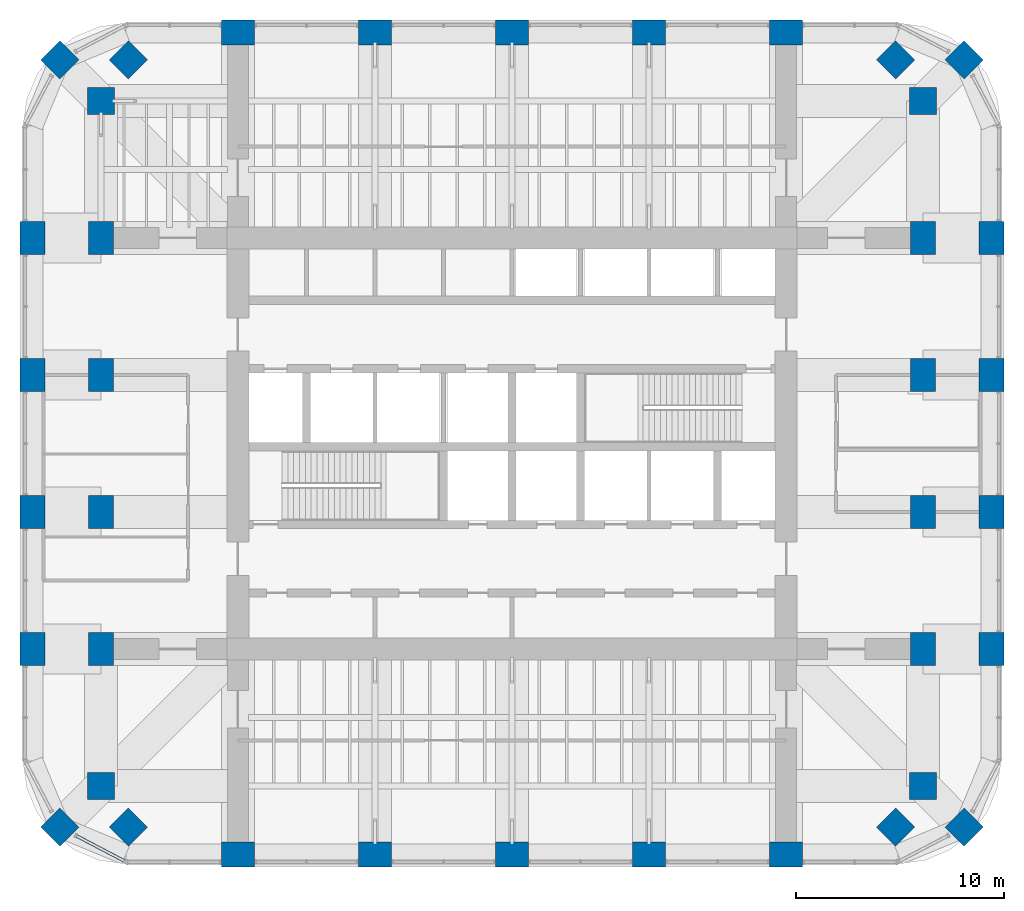
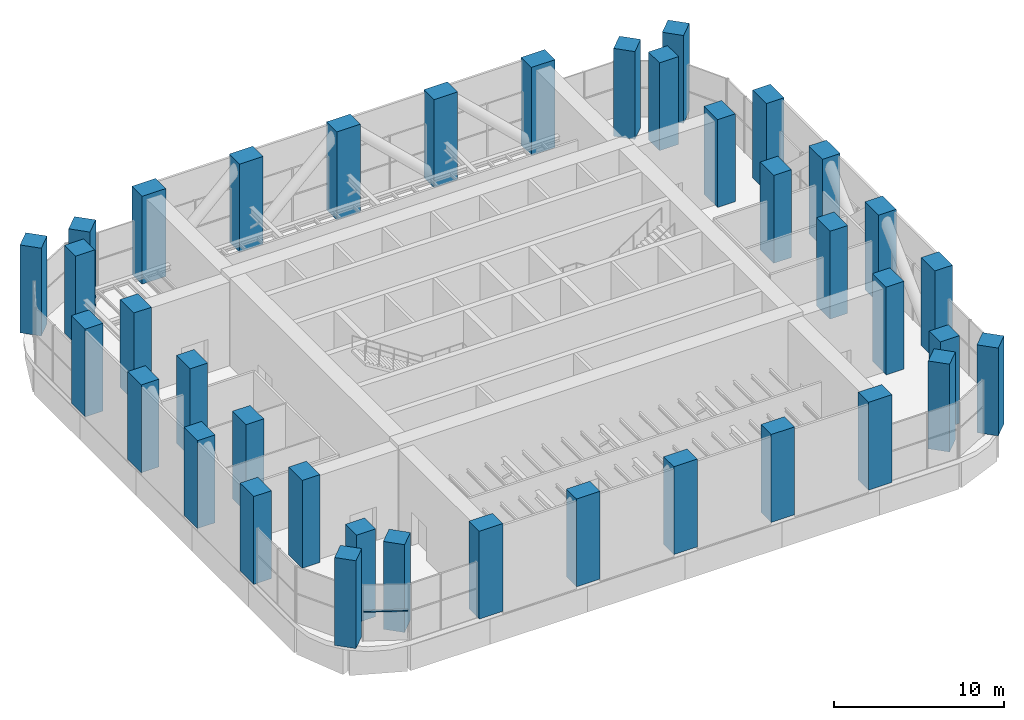
# One storey, part 1 of 15: 38 columns, 1 member, 1 element without a shape of its own.
"""IFC4 building model written with IfcOpenShell, lengths in metres."""

from ifc_helpers import new_model, si_unit, direction, frame, origin, origin_2d, place, context, subcontext, project, spatial, rectangle, extrude, material, material_profile, profile_set, type_object, element, aggregate, save


model = new_model("IFC4")

# Units and contexts
model_context = context("Model", 3, precision=1e-05, world=origin(), true_north=direction((0.0, 1.0)))
body_context = subcontext(model_context, "Body", "Model", "MODEL_VIEW")
ifc_project = project(units=[si_unit("LENGTHUNIT", "METRE"), si_unit("AREAUNIT", "SQUARE_METRE"), si_unit("VOLUMEUNIT", "CUBIC_METRE"), si_unit("PLANEANGLEUNIT", "RADIAN"), si_unit("MASSUNIT", "GRAM", prefix="KILO")], contexts=[model_context])

# Site, building, storey
site_placement = place(None, origin())
site = spatial("IfcSite", under=ifc_project, at=site_placement, CompositionType="ELEMENT")
building_placement = place(site_placement, origin())
building = spatial("IfcBuilding", under=site, at=building_placement, Name="Cobogo Forest Laboratory Tower", CompositionType="ELEMENT")
storey_placement = place(building_placement, frame((0.0, 0.0, 222.89990234375)))
storey = spatial("IfcBuildingStorey", under=building, at=storey_placement, Name="L51", CompositionType="ELEMENT", Elevation=222.89990234375)

# Columns
ifc_material_1 = material(Name="Concrete HA-50 (C50/60)", Category="concrete")
ifc_material_profile_1 = material_profile(ifc_material_1, rectangle(XDim=1.60009765625, YDim=1.199951171875, at=origin_2d()), Name="RC 1200x1600")
ifc_profile_set_1 = profile_set([ifc_material_profile_1], Name="Concrete HA-50 (C50/60)")
column_type_1 = type_object("IfcColumnType", Name="Blade column 1200x1600", PredefinedType="COLUMN", material=ifc_profile_set_1)
for number, where, z_axis, x_axis, name in (
    (1, (13.199951171875, 3.300048828125, 0.0), (0.0, 0.0, 1.0), (1.0, 0.0, 0.0), "Column 3-A.1 L51"),
    (2, (19.800048828125, 3.300048828125, 0.0), (0.0, 0.0, 1.0), (1.0, 0.0, 0.0), "Column 4-A.1 L51"),
    (3, (26.39990234375, 3.300048828125, 0.0), (0.0, 0.0, 1.0), (1.0, 0.0, 0.0), "Column 5-A.1 L51"),
    (4, (33.0, 3.300048828125, 0.0), (0.0, 0.0, 1.0), (1.0, 0.0, 0.0), "Column 6-A.1 L51"),
    (5, (39.60009765625, 3.300048828125, 0.0), (0.0, 0.0, 1.0), (1.0, 0.0, 0.0), "Column 7-A.1 L51"),
    (6, (3.300048828125, 13.199951171875, 0.0), (0.0, 0.0, 1.0), (0.0, 1.0, 0.0), "Column 1.1-C L51"),
    (7, (49.5, 13.199951171875, 0.0), (0.0, 0.0, 1.0), (0.0, 1.0, 0.0), "Column 8.1-C L51"),
    (8, (3.300048828125, 19.800048828125, 0.0), (0.0, 0.0, 1.0), (0.0, 1.0, 0.0), "Column 1.1-D L51"),
    (9, (49.5, 19.800048828125, 0.0), (0.0, 0.0, 1.0), (0.0, 1.0, 0.0), "Column 8.1-D L51"),
    (10, (3.300048828125, 26.39990234375, 0.0), (0.0, 0.0, 1.0), (0.0, 1.0, 0.0), "Column 1.1-E L51"),
    (11, (49.5, 26.39990234375, 0.0), (0.0, 0.0, 1.0), (0.0, 1.0, 0.0), "Column 8.1-E L51"),
    (12, (3.300048828125, 33.0, 0.0), (0.0, 0.0, 1.0), (0.0, 1.0, 0.0), "Column 1.1-F L51"),
    (13, (49.5, 33.0, 0.0), (0.0, 0.0, 1.0), (0.0, 1.0, 0.0), "Column 8.1-F L51"),
    (14, (13.199951171875, 42.89990234375, 0.0), (0.0, 0.0, 1.0), (1.0, 0.0, 0.0), "Column 3-G.1 L51"),
    (15, (19.800048828125, 42.89990234375, 0.0), (0.0, 0.0, 1.0), (1.0, 0.0, 0.0), "Column 4-G.1 L51"),
    (16, (26.39990234375, 42.89990234375, 0.0), (0.0, 0.0, 1.0), (1.0, 0.0, 0.0), "Column 5-G.1 L51"),
    (17, (33.0, 42.89990234375, 0.0), (0.0, 0.0, 1.0), (1.0, 0.0, 0.0), "Column 6-G.1 L51"),
    (18, (39.60009765625, 42.89990234375, 0.0), (0.0, 0.0, 1.0), (1.0, 0.0, 0.0), "Column 7-G.1 L51"),
    (19, (6.60009765625, 13.199951171875, 0.0), (0.0, 0.0, 1.0), (0.0, 1.0, 0.0), "Column 2-C-D L51"),
    (20, (46.199951171875, 13.199951171875, 0.0), (0.0, 0.0, 1.0), (0.0, 1.0, 0.0), "Column 8-C-D L51"),
    (21, (6.60009765625, 19.800048828125, 0.0), (0.0, 0.0, 1.0), (0.0, 1.0, 0.0), "Column 2-D-D L51"),
    (22, (46.199951171875, 19.800048828125, 0.0), (0.0, 0.0, 1.0), (0.0, 1.0, 0.0), "Column 8-D-D L51"),
    (23, (6.60009765625, 26.39990234375, 0.0), (0.0, 0.0, 1.0), (0.0, 1.0, 0.0), "Column 2-E-D L51"),
    (24, (46.199951171875, 26.39990234375, 0.0), (0.0, 0.0, 1.0), (0.0, 1.0, 0.0), "Column 8-E-D L51"),
    (25, (6.60009765625, 33.0, 0.0), (0.0, 0.0, 1.0), (0.0, 1.0, 0.0), "Column 2-F-D L51"),
    (26, (46.199951171875, 33.0, 0.0), (0.0, 0.0, 1.0), (0.0, 1.0, 0.0), "Column 8-F-D L51"),
):
    element("IfcColumn", number, at=place(storey_placement, frame(where, z_axis=z_axis, x_axis=x_axis)), inside=storey, type_object=column_type_1, Name=name, PredefinedType="COLUMN", context=body_context, shape_type="SweptSolid", body=[
        extrude(rectangle(XDim=1.60009765625, YDim=1.199951171875, at=origin_2d()), origin(), (0.0, 0.0, 1.0), 6.300048828125),
    ])
ifc_material_profile_2 = material_profile(ifc_material_1, rectangle(XDim=1.300048828125, YDim=1.300048828125, at=origin_2d()), Name="RC 1300x1300")
ifc_profile_set_2 = profile_set([ifc_material_profile_2], Name="Concrete HA-50 (C50/60)")
column_type_2 = type_object("IfcColumnType", Name="Column 1300x1300", PredefinedType="COLUMN", material=ifc_profile_set_2)
for number, where, z_axis, x_axis, name in (
    (27, (4.617919921875, 4.617919921875, 0.0), (0.0, 0.0, 1.0), (0.707106781187, 0.707106781187, 0.0), "Column CNR-SW L51"),
    (28, (48.181884765625, 4.617919921875, 0.0), (0.0, 0.0, 1.0), (0.707106781187, 0.707106781187, 0.0), "Column CNR-SE L51"),
    (29, (4.617919921875, 41.58203125, 0.0), (0.0, 0.0, 1.0), (0.707106781187, 0.707106781187, 0.0), "Column CNR-NW L51"),
    (30, (48.181884765625, 41.58203125, 0.0), (0.0, 0.0, 1.0), (0.707106781187, 0.707106781187, 0.0), "Column CNR-NE L51"),
    (31, (6.60009765625, 6.60009765625, 0.0), (0.0, 0.0, 1.0), (1.0, 0.0, 0.0), "Column 2-B L51"),
    (32, (46.199951171875, 6.60009765625, 0.0), (0.0, 0.0, 1.0), (1.0, 0.0, 0.0), "Column 8-B L51"),
    (33, (6.60009765625, 39.60009765625, 0.0), (0.0, 0.0, 1.0), (1.0, 0.0, 0.0), "Column 2-G L51"),
    (34, (46.199951171875, 39.60009765625, 0.0), (0.0, 0.0, 1.0), (1.0, 0.0, 0.0), "Column 8-G L51"),
    (35, (7.91796875, 4.617919921875, 0.0), (0.0, 0.0, 1.0), (0.707106781187, 0.707106781187, 0.0), "Column CNR-SW-D L51"),
    (36, (44.882080078125, 4.617919921875, 0.0), (0.0, 0.0, 1.0), (0.707106781187, 0.707106781187, 0.0), "Column CNR-SE-D L51"),
    (37, (7.91796875, 41.58203125, 0.0), (0.0, 0.0, 1.0), (0.707106781187, 0.707106781187, 0.0), "Column CNR-NW-D L51"),
    (38, (44.882080078125, 41.58203125, 0.0), (0.0, 0.0, 1.0), (0.707106781187, 0.707106781187, 0.0), "Column CNR-NE-D L51"),
):
    element("IfcColumn", number, at=place(storey_placement, frame(where, z_axis=z_axis, x_axis=x_axis)), inside=storey, type_object=column_type_2, Name=name, PredefinedType="COLUMN", context=body_context, shape_type="SweptSolid", body=[
        extrude(rectangle(XDim=1.300048828125, YDim=1.300048828125, at=origin_2d()), origin(), (0.0, 0.0, 1.0), 6.300048828125),
    ])

# Curtain wall, member
ifc_material_2 = material(Name="Aluminium curtain wall", Category="aluminium")
curtain_wall_type = type_object("IfcCurtainWallType", Name="CW-P louvred curtain wall, plant floors", PredefinedType="USERDEFINED", material=ifc_material_2)
curtain_wall_placement = place(storey_placement, origin())
curtain_wall = element("IfcCurtainWall", 39, at=curtain_wall_placement, inside=storey, type_object=curtain_wall_type, Name="Curtain wall 30 L51", ObjectType="LOUVRED CURTAIN WALL", PredefinedType="USERDEFINED")
ifc_material_3 = material(Name="Aluminium transom", Category="aluminium")
ifc_material_profile_3 = material_profile(ifc_material_3, rectangle(XDim=0.14990234375, YDim=0.080078125, at=origin_2d()), Name="AL 80x150")
ifc_profile_set_3 = profile_set([ifc_material_profile_3], Name="Aluminium transom")
member_type = type_object("IfcMemberType", Name="TR-2 aluminium louvre transom 80x150", PredefinedType="USERDEFINED", material=ifc_profile_set_3)
member_placement = place(storey_placement, frame((5.41259765625, 4.201416015625, 2.10009765625), z_axis=(0.885694477554, -0.464268556366, 0.0), x_axis=(0.464268556366, 0.885694477554, 0.0)))
member = element("IfcMember", 40, at=member_placement, type_object=member_type, Name="CW-P transom 1.1", ObjectType="TRANSOM", PredefinedType="USERDEFINED", context=body_context, shape_type="SweptSolid", body=[
    extrude(rectangle(XDim=0.14990234375, YDim=0.080078125, at=origin_2d()), origin(), (0.0, 0.0, 1.0), 2.61572265625),
])
aggregate(curtain_wall, [member])

save(model, "model.ifc")
